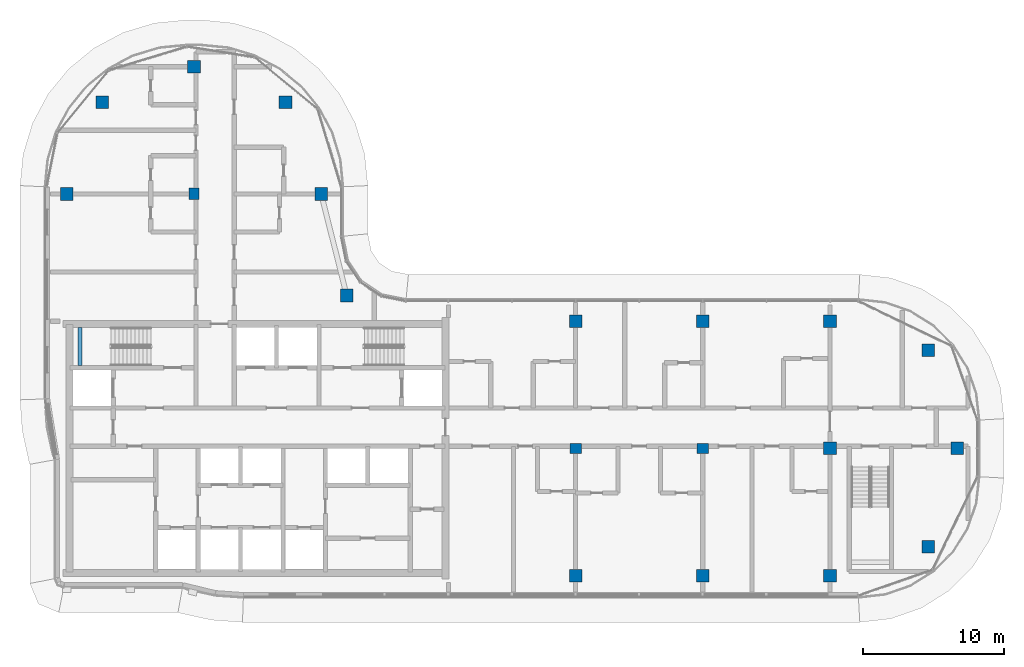
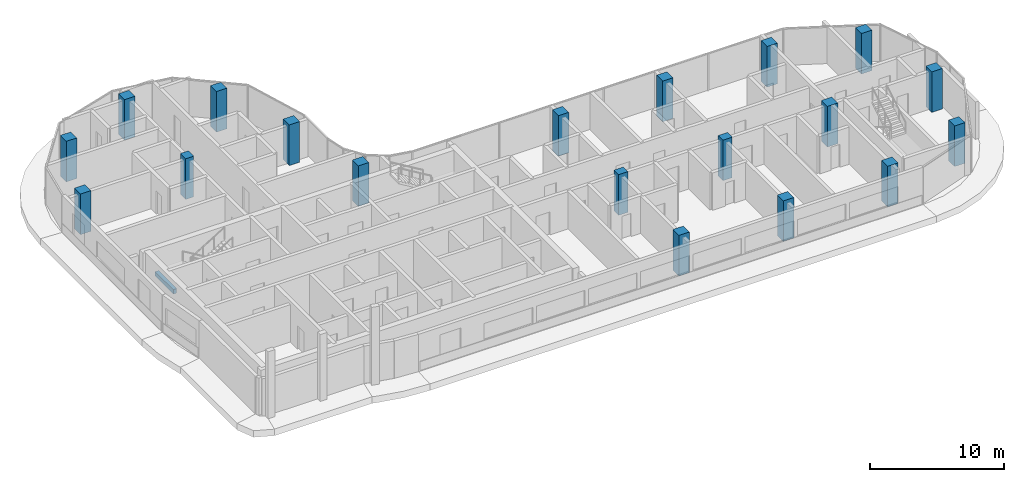
# One storey, part 1 of 21: 19 columns, 1 beam.
"""IFC4 building model written with IfcOpenShell, lengths in metres."""

from ifc_helpers import new_model, si_unit, direction, frame, origin, origin_2d, place, context, subcontext, project, spatial, rectangle, extrude, material, material_profile, profile_set, type_object, element, save


model = new_model("IFC4")

# Units and contexts
model_context = context("Model", 3, precision=1e-05, world=origin(), true_north=direction((0.0, 1.0)))
body_context = subcontext(model_context, "Body", "Model", "MODEL_VIEW")
ifc_project = project(units=[si_unit("LENGTHUNIT", "METRE"), si_unit("AREAUNIT", "SQUARE_METRE"), si_unit("VOLUMEUNIT", "CUBIC_METRE"), si_unit("PLANEANGLEUNIT", "RADIAN"), si_unit("MASSUNIT", "GRAM", prefix="KILO")], contexts=[model_context])

# Site, building, storey
site_placement = place(None, origin())
site = spatial("IfcSite", under=ifc_project, at=site_placement, CompositionType="ELEMENT")
building_placement = place(site_placement, origin())
building = spatial("IfcBuilding", under=site, at=building_placement, Name="Ogive Portal Towers", CompositionType="ELEMENT")
storey_placement = place(building_placement, frame((0.0, 0.0, 225.39990234375)))
storey = spatial("IfcBuildingStorey", under=building, at=storey_placement, Name="L56", CompositionType="ELEMENT", Elevation=225.39990234375)

# Columns
ifc_material_1 = material(Name="Concrete C60/75", Category="concrete")
ifc_material_profile_1 = material_profile(ifc_material_1, rectangle(XDim=0.800048828125, YDim=0.699951171875, at=origin_2d()), Name="RC 800x700")
ifc_profile_set_1 = profile_set([ifc_material_profile_1], Name="Concrete C60/75")
column_type_1 = type_object("IfcColumnType", Name="COLUMN RC 800x700", PredefinedType="COLUMN", material=ifc_profile_set_1)
for number, where, z_axis, x_axis, name in (
    (1, (67.5, 30.5, 0.0), (0.0, 0.0, 1.0), (1.0, 0.0, 0.0), "Column 5/B L56"),
    (2, (76.5, 30.5, 0.0), (0.0, 0.0, 1.0), (1.0, 0.0, 0.0), "Column 6/B L56"),
    (3, (40.5, 48.5, 0.0), (0.0, 0.0, 1.0), (0.0, 1.0, 0.0), "Column 2/D L56"),
):
    element("IfcColumn", number, at=place(storey_placement, frame(where, z_axis=z_axis, x_axis=x_axis)), inside=storey, type_object=column_type_1, Name=name, PredefinedType="COLUMN", context=body_context, shape_type="SweptSolid", body=[
        extrude(rectangle(XDim=0.800048828125, YDim=0.699951171875, at=origin_2d()), origin(), (0.0, 0.0, 1.0), 3.7001953125),
    ])
ifc_material_profile_2 = material_profile(ifc_material_1, rectangle(XDim=0.89990234375, YDim=0.89990234375, at=origin_2d()), Name="RC 900x900")
ifc_profile_set_2 = profile_set([ifc_material_profile_2], Name="Concrete C60/75")
column_type_2 = type_object("IfcColumnType", Name="COLUMN RC 900x900", PredefinedType="COLUMN", material=ifc_profile_set_2)
for number, where, z_axis, x_axis, name in (
    (4, (67.5, 21.5, 0.0), (0.0, 0.0, 1.0), (1.0, 0.0, 0.0), "Column 5/A L56"),
    (5, (76.5, 21.5, 0.0), (0.0, 0.0, 1.0), (1.0, 0.0, 0.0), "Column 6/A L56"),
    (6, (85.5, 21.5, 0.0), (0.0, 0.0, 1.0), (1.0, 0.0, 0.0), "Column 7/A L56"),
    (7, (92.449951171875, 23.550048828125, 0.0), (0.0, 0.0, 1.0), (1.0, 0.0, 0.0), "Column L56"),
    (8, (85.5, 30.5, 0.0), (0.0, 0.0, 1.0), (1.0, 0.0, 0.0), "Column 7/B L56"),
    (9, (94.5, 30.5, 0.0), (0.0, 0.0, 1.0), (1.0, 0.0, 0.0), "Column 8/B L56"),
    (10, (92.449951171875, 37.449951171875, 0.0), (0.0, 0.0, 1.0), (1.0, 0.0, 0.0), "Column L56"),
    (11, (67.5, 39.5, 0.0), (0.0, 0.0, 1.0), (1.0, 0.0, 0.0), "Column 5/C L56"),
    (12, (76.5, 39.5, 0.0), (0.0, 0.0, 1.0), (1.0, 0.0, 0.0), "Column 6/C L56"),
    (13, (85.5, 39.5, 0.0), (0.0, 0.0, 1.0), (1.0, 0.0, 0.0), "Column 7/C L56"),
    (14, (51.31005859375, 41.31005859375, 0.0), (0.0, 0.0, 1.0), (1.0, 0.0, 0.0), "Column L56"),
    (15, (31.5, 48.5, 0.0), (0.0, 0.0, 1.0), (1.0, 0.0, 0.0), "Column 1/D L56"),
    (16, (49.5, 48.5, 0.0), (0.0, 0.0, 1.0), (1.0, 0.0, 0.0), "Column 3/D L56"),
    (17, (34.027099609375, 54.972900390625, 0.0), (0.0, 0.0, 1.0), (1.0, 0.0, 0.0), "Column L56"),
    (18, (46.972900390625, 54.972900390625, 0.0), (0.0, 0.0, 1.0), (1.0, 0.0, 0.0), "Column L56"),
    (19, (40.5, 57.5, 0.0), (0.0, 0.0, 1.0), (1.0, 0.0, 0.0), "Column 2/E L56"),
):
    element("IfcColumn", number, at=place(storey_placement, frame(where, z_axis=z_axis, x_axis=x_axis)), inside=storey, type_object=column_type_2, Name=name, PredefinedType="COLUMN", context=body_context, shape_type="SweptSolid", body=[
        extrude(rectangle(XDim=0.89990234375, YDim=0.89990234375, at=origin_2d()), origin(), (0.0, 0.0, 1.0), 3.7001953125),
    ])

# Beam
ifc_material_2 = material(Name="Concrete C40/50", Category="concrete")
ifc_material_profile_3 = material_profile(ifc_material_2, rectangle(XDim=0.300048828125, YDim=0.39990234375, at=origin_2d()), Name="RC 300x400")
ifc_profile_set_3 = profile_set([ifc_material_profile_3], Name="Concrete C40/50")
beam_type = type_object("IfcBeamType", Name="BEAM RC 300x400", PredefinedType="BEAM", material=ifc_profile_set_3)
beam_placement = place(storey_placement, frame((32.449951171875, 36.35009765625, 1.4501953125), z_axis=(0.0, 1.0, 0.0), x_axis=(-1.0, 0.0, 0.0)))
element("IfcBeam", 20, at=beam_placement, inside=storey, type_object=beam_type, Name="Landing beam L56", PredefinedType="BEAM", context=body_context, shape_type="SweptSolid", body=[
    extrude(rectangle(XDim=0.300048828125, YDim=0.39990234375, at=origin_2d()), origin(), (0.0, 0.0, 1.0), 2.699951171875),
])

save(model, "model.ifc")
